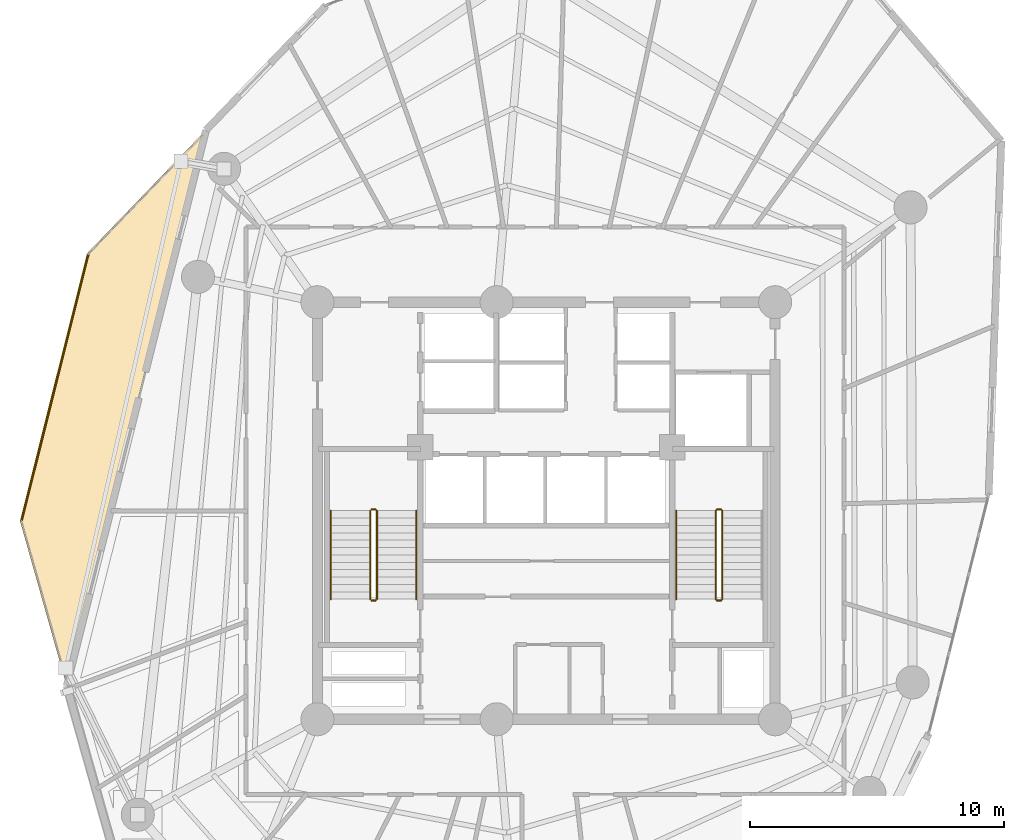
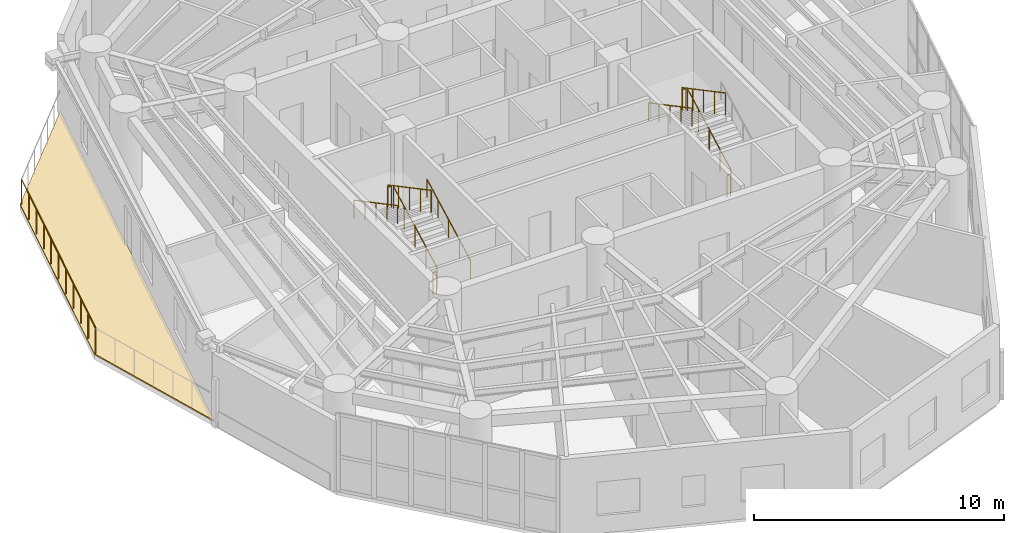
# One storey, part 13 of 14: 12 railings, 1 covering.
"""IFC4 building model written with IfcOpenShell, lengths in metres."""

from ifc_helpers import new_model, si_unit, direction, frame, origin, origin_2d, place, context, subcontext, project, spatial, polyline, circle, outline, extrude, material, layer, layer_set, type_object, element, save


model = new_model("IFC4")

# Units and contexts
model_context = context("Model", 3, precision=1e-05, world=origin(), true_north=direction((0.0, 1.0)))
body_context = subcontext(model_context, "Body", "Model", "MODEL_VIEW")
ifc_project = project(units=[si_unit("LENGTHUNIT", "METRE"), si_unit("AREAUNIT", "SQUARE_METRE"), si_unit("VOLUMEUNIT", "CUBIC_METRE"), si_unit("PLANEANGLEUNIT", "RADIAN"), si_unit("MASSUNIT", "GRAM", prefix="KILO")], contexts=[model_context])

# Site, building, storey
site_placement = place(None, origin())
site = spatial("IfcSite", under=ifc_project, at=site_placement, CompositionType="ELEMENT")
building_placement = place(site_placement, origin())
building = spatial("IfcBuilding", under=site, at=building_placement, Name="Karkom Vertical University and Central Library", CompositionType="ELEMENT")
storey_placement = place(building_placement, frame((0.0, 0.0, 152.550048828125)))
storey = spatial("IfcBuildingStorey", under=building, at=storey_placement, Name="L43", CompositionType="ELEMENT", Elevation=152.550048828125)

# Covering
ifc_material_1 = material(Name="EPDM membrane with Kota stone ballast roofing", Category="masonry")
ifc_layer_1 = layer(ifc_material_1, 0.080078125)
ifc_layer_set_1 = layer_set([ifc_layer_1], Name="EPDM membrane with Kota stone ballast roofing")
covering_type = type_object("IfcCoveringType", Name="ENV-COV-ROOF", PredefinedType="ROOFING", material=ifc_layer_set_1)
covering_placement = place(storey_placement, origin())
element("IfcCovering", 1, at=covering_placement, inside=storey, type_object=covering_type, Name="Level 43 Spiral Sky Garden Waterproofing Covering", PredefinedType="ROOFING", context=body_context, shape_type="SweptSolid", body=[
    extrude(outline(polyline([(7.804931640625, 26.105712890625), (10.440673828125, 36.614501953125), (15.089599609375, 41.44091796875), (9.625732421875, 19.656494140625), (7.804931640625, 26.105712890625)])), origin(), (0.0, 0.0, 1.0), 0.06005859375),
])

# Railings
ifc_material_2 = material(Name="Architectural painted steel & laminated glass balustrade", Category="steel")
ifc_layer_2 = layer(ifc_material_2, 0.090087890625)
ifc_layer_set_2 = layer_set([ifc_layer_2], Name="Architectural painted steel & laminated glass balustrade")
railing_type_1 = type_object("IfcRailingType", Name="ENV-RL-BAL1300", PredefinedType="BALUSTRADE", material=ifc_layer_set_2)
railing_1_placement = place(storey_placement, frame((7.8671875, 26.1064453125, 0.0)))
element("IfcRailing", 2, at=railing_1_placement, inside=storey, type_object=railing_type_1, Name="Level 43 Planted Terrace Safety Balustrade 01", PredefinedType="BALUSTRADE", context=body_context, shape_type="SweptSolid", body=[
    extrude(circle(Radius=0.02392578125, at=origin_2d()), frame((0.0, 0.0, 1.27587890625), z_axis=(0.243269399993, 0.969958761509, 0.0), x_axis=(-0.969958761509, 0.243269399993, 0.0)), (0.0, 0.0, 1.0), 10.802490234375),
    extrude(circle(Radius=0.02099609375, at=origin_2d()), origin(), (0.0, 0.0, 1.0), 1.251953125),
    extrude(circle(Radius=0.02099609375, at=origin_2d()), frame((0.2626953125, 1.0478515625, 0.0)), (0.0, 0.0, 1.0), 1.251953125),
    extrude(circle(Radius=0.02099609375, at=origin_2d()), frame((0.525634765625, 2.095703125, 0.0)), (0.0, 0.0, 1.0), 1.251953125),
    extrude(circle(Radius=0.02099609375, at=origin_2d()), frame((0.788330078125, 3.143310546875, 0.0)), (0.0, 0.0, 1.0), 1.251953125),
    extrude(circle(Radius=0.02099609375, at=origin_2d()), frame((1.05126953125, 4.191162109375, 0.0)), (0.0, 0.0, 1.0), 1.251953125),
    extrude(circle(Radius=0.02099609375, at=origin_2d()), frame((1.31396484375, 5.239013671875, 0.0)), (0.0, 0.0, 1.0), 1.251953125),
    extrude(circle(Radius=0.02099609375, at=origin_2d()), frame((1.57666015625, 6.286865234375, 0.0)), (0.0, 0.0, 1.0), 1.251953125),
    extrude(circle(Radius=0.02099609375, at=origin_2d()), frame((1.839599609375, 7.334716796875, 0.0)), (0.0, 0.0, 1.0), 1.251953125),
    extrude(circle(Radius=0.02099609375, at=origin_2d()), frame((2.102294921875, 8.38232421875, 0.0)), (0.0, 0.0, 1.0), 1.251953125),
    extrude(circle(Radius=0.02099609375, at=origin_2d()), frame((2.365234375, 9.43017578125, 0.0)), (0.0, 0.0, 1.0), 1.251953125),
    extrude(circle(Radius=0.02099609375, at=origin_2d()), frame((2.6279296875, 10.47802734375, 0.0)), (0.0, 0.0, 1.0), 1.251953125),
])
ifc_material_3 = material(Name="Painted galvanised steel balustrade", Category="steel")
ifc_layer_3 = layer(ifc_material_3, 0.06005859375)
ifc_layer_set_3 = layer_set([ifc_layer_3], Name="Painted galvanised steel balustrade")
railing_type_2 = type_object("IfcRailingType", Name="INT-RL-GUARD1100", PredefinedType="GUARDRAIL", material=ifc_layer_set_3)
railing_2_placement = place(storey_placement, frame((21.840087890625, 23.02001953125, 0.15380859375)))
element("IfcRailing", 3, at=railing_2_placement, inside=storey, type_object=railing_type_2, Name="Level 43 ST-1 stair guard 1", PredefinedType="GUARDRAIL", context=body_context, shape_type="SweptSolid", body=[
    extrude(circle(Radius=0.02392578125, at=origin_2d()), frame((0.0, 0.0, 1.076171875), z_axis=(0.0, 0.883383580571, 0.468650669025), x_axis=(-1.0, 0.0, 0.0)), (0.0, 0.0, 1.0), 3.939453125),
    extrude(circle(Radius=0.02099609375, at=origin_2d()), origin(), (0.0, 0.0, 1.0), 1.052001953125),
    extrude(circle(Radius=0.02099609375, at=origin_2d()), frame((0.0, 0.8701171875, 0.46142578125)), (0.0, 0.0, 1.0), 1.052001953125),
    extrude(circle(Radius=0.02099609375, at=origin_2d()), frame((0.0, 1.739990234375, 0.923095703125)), (0.0, 0.0, 1.0), 1.052001953125),
    extrude(circle(Radius=0.02099609375, at=origin_2d()), frame((0.0, 2.60986328125, 1.384765625)), (0.0, 0.0, 1.0), 1.052001953125),
    extrude(circle(Radius=0.02099609375, at=origin_2d()), frame((0.0, 3.47998046875, 1.84619140625)), (0.0, 0.0, 1.0), 1.052001953125),
])
railing_3_placement = place(storey_placement, frame((21.7900390625, 26.550048828125, 2.0)))
element("IfcRailing", 4, at=railing_3_placement, inside=storey, type_object=railing_type_2, Name="Level 43 ST-1 stair guard 2", PredefinedType="GUARDRAIL", context=body_context, shape_type="SweptSolid", body=[
    extrude(circle(Radius=0.02392578125, at=origin_2d()), frame((0.0, 0.0, 1.076171875), z_axis=(-1.0, 0.0, 0.0), x_axis=(0.0, -1.0, 0.0)), (0.0, 0.0, 1.0), 0.16015625),
    extrude(circle(Radius=0.02099609375, at=origin_2d()), origin(), (0.0, 0.0, 1.0), 1.052001953125),
    extrude(circle(Radius=0.02099609375, at=origin_2d()), frame((-0.16015625, 0.0, 0.0)), (0.0, 0.0, 1.0), 1.052001953125),
])
railing_4_placement = place(storey_placement, frame((21.580078125, 26.5, 2.15380859375)))
element("IfcRailing", 5, at=railing_4_placement, inside=storey, type_object=railing_type_2, Name="Level 43 ST-1 stair guard 3", PredefinedType="GUARDRAIL", context=body_context, shape_type="SweptSolid", body=[
    extrude(circle(Radius=0.02392578125, at=origin_2d()), frame((0.0, 0.0, 1.076171875), z_axis=(0.0, -0.883383580571, 0.468650669025), x_axis=(1.0, 0.0, 0.0)), (0.0, 0.0, 1.0), 3.939453125),
    extrude(circle(Radius=0.02099609375, at=origin_2d()), origin(), (0.0, 0.0, 1.0), 1.052001953125),
    extrude(circle(Radius=0.02099609375, at=origin_2d()), frame((0.0, -0.8701171875, 0.46142578125)), (0.0, 0.0, 1.0), 1.052001953125),
    extrude(circle(Radius=0.02099609375, at=origin_2d()), frame((0.0, -1.739990234375, 0.923095703125)), (0.0, 0.0, 1.0), 1.052001953125),
    extrude(circle(Radius=0.02099609375, at=origin_2d()), frame((0.0, -2.60986328125, 1.384765625)), (0.0, 0.0, 1.0), 1.052001953125),
    extrude(circle(Radius=0.02099609375, at=origin_2d()), frame((0.0, -3.47998046875, 1.84619140625)), (0.0, 0.0, 1.0), 1.052001953125),
])
railing_5_placement = place(storey_placement, frame((21.7900390625, 22.969970703125, 0.0)))
element("IfcRailing", 6, at=railing_5_placement, inside=storey, type_object=railing_type_2, Name="Level 43 ST-1 stair guard 4", PredefinedType="GUARDRAIL", context=body_context, shape_type="SweptSolid", body=[
    extrude(circle(Radius=0.02392578125, at=origin_2d()), frame((0.0, 0.0, 1.076171875), z_axis=(-1.0, 0.0, 0.0), x_axis=(0.0, -1.0, 0.0)), (0.0, 0.0, 1.0), 0.16015625),
    extrude(circle(Radius=0.02099609375, at=origin_2d()), origin(), (0.0, 0.0, 1.0), 1.052001953125),
    extrude(circle(Radius=0.02099609375, at=origin_2d()), frame((-0.16015625, 0.0, 0.0)), (0.0, 0.0, 1.0), 1.052001953125),
])
railing_6_placement = place(storey_placement, frame((35.419921875, 23.02001953125, 0.15380859375)))
element("IfcRailing", 7, at=railing_6_placement, inside=storey, type_object=railing_type_2, Name="Level 43 ST-2 stair guard 1", PredefinedType="GUARDRAIL", context=body_context, shape_type="SweptSolid", body=[
    extrude(circle(Radius=0.02392578125, at=origin_2d()), frame((0.0, 0.0, 1.076171875), z_axis=(0.0, 0.883383580571, 0.468650669025), x_axis=(-1.0, 0.0, 0.0)), (0.0, 0.0, 1.0), 3.939453125),
    extrude(circle(Radius=0.02099609375, at=origin_2d()), origin(), (0.0, 0.0, 1.0), 1.052001953125),
    extrude(circle(Radius=0.02099609375, at=origin_2d()), frame((0.0, 0.8701171875, 0.46142578125)), (0.0, 0.0, 1.0), 1.052001953125),
    extrude(circle(Radius=0.02099609375, at=origin_2d()), frame((0.0, 1.739990234375, 0.923095703125)), (0.0, 0.0, 1.0), 1.052001953125),
    extrude(circle(Radius=0.02099609375, at=origin_2d()), frame((0.0, 2.60986328125, 1.384765625)), (0.0, 0.0, 1.0), 1.052001953125),
    extrude(circle(Radius=0.02099609375, at=origin_2d()), frame((0.0, 3.47998046875, 1.84619140625)), (0.0, 0.0, 1.0), 1.052001953125),
])
railing_7_placement = place(storey_placement, frame((35.3701171875, 26.550048828125, 2.0)))
element("IfcRailing", 8, at=railing_7_placement, inside=storey, type_object=railing_type_2, Name="Level 43 ST-2 stair guard 2", PredefinedType="GUARDRAIL", context=body_context, shape_type="SweptSolid", body=[
    extrude(circle(Radius=0.02392578125, at=origin_2d()), frame((0.0, 0.0, 1.076171875), z_axis=(-1.0, 0.0, 0.0), x_axis=(0.0, -1.0, 0.0)), (0.0, 0.0, 1.0), 0.16015625),
    extrude(circle(Radius=0.02099609375, at=origin_2d()), origin(), (0.0, 0.0, 1.0), 1.052001953125),
    extrude(circle(Radius=0.02099609375, at=origin_2d()), frame((-0.16015625, 0.0, 0.0)), (0.0, 0.0, 1.0), 1.052001953125),
])
railing_8_placement = place(storey_placement, frame((35.159912109375, 26.5, 2.15380859375)))
element("IfcRailing", 9, at=railing_8_placement, inside=storey, type_object=railing_type_2, Name="Level 43 ST-2 stair guard 3", PredefinedType="GUARDRAIL", context=body_context, shape_type="SweptSolid", body=[
    extrude(circle(Radius=0.02392578125, at=origin_2d()), frame((0.0, 0.0, 1.076171875), z_axis=(0.0, -0.883383580571, 0.468650669025), x_axis=(1.0, 0.0, 0.0)), (0.0, 0.0, 1.0), 3.939453125),
    extrude(circle(Radius=0.02099609375, at=origin_2d()), origin(), (0.0, 0.0, 1.0), 1.052001953125),
    extrude(circle(Radius=0.02099609375, at=origin_2d()), frame((0.0, -0.8701171875, 0.46142578125)), (0.0, 0.0, 1.0), 1.052001953125),
    extrude(circle(Radius=0.02099609375, at=origin_2d()), frame((0.0, -1.739990234375, 0.923095703125)), (0.0, 0.0, 1.0), 1.052001953125),
    extrude(circle(Radius=0.02099609375, at=origin_2d()), frame((0.0, -2.60986328125, 1.384765625)), (0.0, 0.0, 1.0), 1.052001953125),
    extrude(circle(Radius=0.02099609375, at=origin_2d()), frame((0.0, -3.47998046875, 1.84619140625)), (0.0, 0.0, 1.0), 1.052001953125),
])
railing_9_placement = place(storey_placement, frame((35.3701171875, 22.969970703125, 0.0)))
element("IfcRailing", 10, at=railing_9_placement, inside=storey, type_object=railing_type_2, Name="Level 43 ST-2 stair guard 4", PredefinedType="GUARDRAIL", context=body_context, shape_type="SweptSolid", body=[
    extrude(circle(Radius=0.02392578125, at=origin_2d()), frame((0.0, 0.0, 1.076171875), z_axis=(-1.0, 0.0, 0.0), x_axis=(0.0, -1.0, 0.0)), (0.0, 0.0, 1.0), 0.16015625),
    extrude(circle(Radius=0.02099609375, at=origin_2d()), origin(), (0.0, 0.0, 1.0), 1.052001953125),
    extrude(circle(Radius=0.02099609375, at=origin_2d()), frame((-0.16015625, 0.0, 0.0)), (0.0, 0.0, 1.0), 1.052001953125),
])
ifc_material_4 = material(Name="Brushed stainless-steel tubular handrail", Category="steel")
ifc_layer_4 = layer(ifc_material_4, 0.048095703125)
ifc_layer_set_4 = layer_set([ifc_layer_4], Name="Brushed stainless-steel tubular handrail")
railing_type_3 = type_object("IfcRailingType", Name="INT-RL-HAND920", PredefinedType="HANDRAIL", material=ifc_layer_set_4)
railing_10_placement = place(storey_placement, frame((23.389892578125, 23.02001953125, 0.15380859375)))
element("IfcRailing", 11, at=railing_10_placement, inside=storey, type_object=railing_type_3, Name="Level 43 ST-1 stair handrail 1", PredefinedType="HANDRAIL", context=body_context, shape_type="SweptSolid", body=[
    extrude(circle(Radius=0.02392578125, at=origin_2d()), frame((0.0, 0.0, 0.8759765625), z_axis=(0.0, 0.883383580571, 0.468650669025), x_axis=(-1.0, 0.0, 0.0)), (0.0, 0.0, 1.0), 3.939453125),
    extrude(circle(Radius=0.02099609375, at=origin_2d()), origin(), (0.0, 0.0, 1.0), 0.851806640625),
    extrude(circle(Radius=0.02099609375, at=origin_2d()), frame((0.0, 0.8701171875, 0.46142578125)), (0.0, 0.0, 1.0), 0.851806640625),
    extrude(circle(Radius=0.02099609375, at=origin_2d()), frame((0.0, 1.739990234375, 0.923095703125)), (0.0, 0.0, 1.0), 0.851806640625),
    extrude(circle(Radius=0.02099609375, at=origin_2d()), frame((0.0, 2.60986328125, 1.384765625)), (0.0, 0.0, 1.0), 0.851806640625),
    extrude(circle(Radius=0.02099609375, at=origin_2d()), frame((0.0, 3.47998046875, 1.84619140625)), (0.0, 0.0, 1.0), 0.851806640625),
])
for number, where, name in (
    (12, (20.030029296875, 26.5, 2.15380859375), "Level 43 ST-1 stair handrail 2"),
    (13, (33.610107421875, 26.5, 2.15380859375), "Level 43 ST-2 stair handrail 2"),
):
    element("IfcRailing", number, at=place(storey_placement, frame(where)), inside=storey, type_object=railing_type_3, Name=name, PredefinedType="HANDRAIL", context=body_context, shape_type="SweptSolid", body=[
        extrude(circle(Radius=0.02392578125, at=origin_2d()), frame((0.0, 0.0, 0.8759765625), z_axis=(0.0, -0.883383580571, 0.468650669025), x_axis=(1.0, 0.0, 0.0)), (0.0, 0.0, 1.0), 3.939453125),
        extrude(circle(Radius=0.02099609375, at=origin_2d()), origin(), (0.0, 0.0, 1.0), 0.851806640625),
        extrude(circle(Radius=0.02099609375, at=origin_2d()), frame((0.0, -0.8701171875, 0.46142578125)), (0.0, 0.0, 1.0), 0.851806640625),
        extrude(circle(Radius=0.02099609375, at=origin_2d()), frame((0.0, -1.739990234375, 0.923095703125)), (0.0, 0.0, 1.0), 0.851806640625),
        extrude(circle(Radius=0.02099609375, at=origin_2d()), frame((0.0, -2.60986328125, 1.384765625)), (0.0, 0.0, 1.0), 0.851806640625),
        extrude(circle(Radius=0.02099609375, at=origin_2d()), frame((0.0, -3.47998046875, 1.84619140625)), (0.0, 0.0, 1.0), 0.851806640625),
    ])

save(model, "model.ifc")
